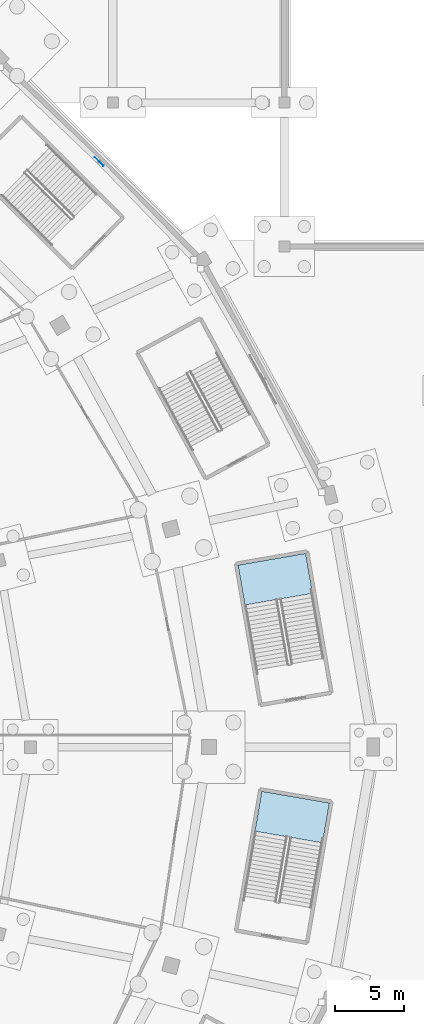
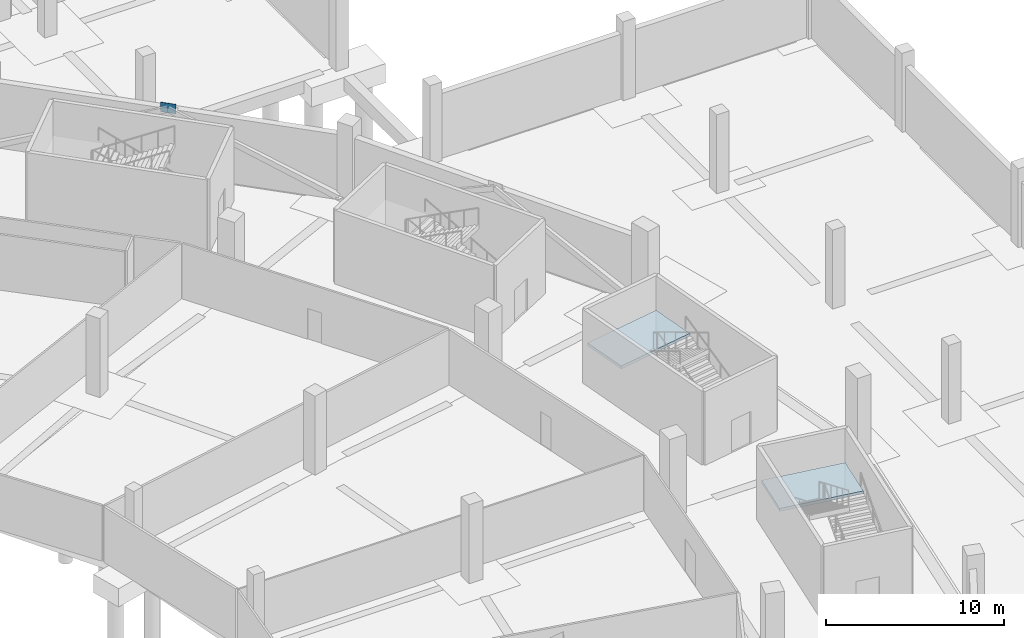
# One storey, part 23 of 74: 2 slabs, 1 plate, 2 elements without a shape of their own.
"""IFC4 building model written with IfcOpenShell, lengths in metres."""

from ifc_helpers import new_model, si_unit, direction, frame, origin, origin_2d, place, context, subcontext, project, spatial, polyline, rectangle, outline, extrude, material, layer, layer_set, type_object, element, aggregate, save


model = new_model("IFC4")

# Units and contexts
model_context = context("Model", 3, precision=1e-05, world=origin(), true_north=direction((0.0, 1.0)))
body_context = subcontext(model_context, "Body", "Model", "MODEL_VIEW")
ifc_project = project(units=[si_unit("LENGTHUNIT", "METRE"), si_unit("AREAUNIT", "SQUARE_METRE"), si_unit("VOLUMEUNIT", "CUBIC_METRE"), si_unit("PLANEANGLEUNIT", "RADIAN"), si_unit("MASSUNIT", "GRAM", prefix="KILO")], contexts=[model_context])

# Site, building, storey
site_placement = place(None, origin())
site = spatial("IfcSite", under=ifc_project, at=site_placement, CompositionType="ELEMENT")
building_placement = place(site_placement, origin())
building = spatial("IfcBuilding", under=site, at=building_placement, Name="Zlatoyarsky Gate Stadium", CompositionType="ELEMENT")
storey_placement = place(building_placement, frame((0.0, 0.0, -5.39990234375)))
storey = spatial("IfcBuildingStorey", under=building, at=storey_placement, Name="B1", CompositionType="ELEMENT", Elevation=-5.39990234375)

# Stair, slab
ifc_material_1 = material(Name="Concrete C40/50", Category="concrete")
stair_type = type_object("IfcStairType", Name="CONCRETE DOGLEG EXIT STAIR H5400", PredefinedType="TWO_STRAIGHT_RUN_STAIR", material=ifc_material_1)
stair_1_placement = place(storey_placement, origin())
stair_1 = element("IfcStair", 1, at=stair_1_placement, inside=storey, type_object=stair_type, Name="B1 Exit Stair ST-01", PredefinedType="TWO_STRAIGHT_RUN_STAIR")
ifc_layer_1 = layer(ifc_material_1, 0.199951171875)
ifc_layer_set_1 = layer_set([ifc_layer_1], Name="Concrete C40/50")
slab_type = type_object("IfcSlabType", Name="CONCRETE STAIR LANDING SLAB 200", PredefinedType="LANDING", material=ifc_layer_set_1)
slab_1_placement = place(storey_placement, frame((0.0, 0.0, 2.5)))
slab_1 = element("IfcSlab", 2, at=slab_1_placement, type_object=slab_type, Name="ST-DG54 landing 1", PredefinedType="LANDING", context=body_context, shape_type="SweptSolid", body=[
    extrude(outline(polyline([(199.5595703125, 91.21533203125), (199.058349609375, 94.12255859375), (194.131103515625, 93.272705078125), (194.63232421875, 90.36572265625), (199.5595703125, 91.21533203125)])), origin(), (0.0, 0.0, 1.0), 0.199951171875),
])
aggregate(stair_1, [slab_1])

stair_2_placement = place(storey_placement, origin())
stair_2 = element("IfcStair", 3, at=stair_2_placement, inside=storey, type_object=stair_type, Name="B1 Exit Stair ST-20", PredefinedType="TWO_STRAIGHT_RUN_STAIR")
slab_2_placement = place(storey_placement, frame((0.0, 0.0, 2.5)))
slab_2 = element("IfcSlab", 4, at=slab_2_placement, type_object=slab_type, Name="ST-DG54 landing 1", PredefinedType="LANDING", context=body_context, shape_type="SweptSolid", body=[
    extrude(outline(polyline([(200.29052734375, 73.022216796875), (200.791748046875, 75.92919921875), (195.864501953125, 76.77880859375), (195.36328125, 73.871826171875), (200.29052734375, 73.022216796875)])), origin(), (0.0, 0.0, 1.0), 0.199951171875),
])
aggregate(stair_2, [slab_2])

# Plate
ifc_material_2 = material(Name="Steel S355", Category="steel")
ifc_layer_2 = layer(ifc_material_2, 0.02001953125)
ifc_layer_set_2 = layer_set([ifc_layer_2], Name="Steel S355")
plate_type = type_object("IfcPlateType", Name="STEEL BRACE GUSSET PLATE 20", PredefinedType="USERDEFINED", material=ifc_layer_set_2)
plate_placement = place(storey_placement, frame((183.99560546875, 122.6962890625, 4.155029296875), z_axis=(0.0, 0.0, 1.0), x_axis=(-0.708900794095, 0.705308205065, 0.0)))
element("IfcPlate", 5, at=plate_placement, inside=storey, type_object=plate_type, Name="Chevron brace gusset plate ND-BR1 2", ObjectType="GUSSET PLATE", PredefinedType="USERDEFINED", context=body_context, shape_type="SweptSolid", body=[
    extrude(rectangle(XDim=0.89990234375, YDim=0.02001953125, at=origin_2d()), origin(), (0.0, 0.0, 1.0), 0.64990234375),
])

save(model, "model.ifc")
